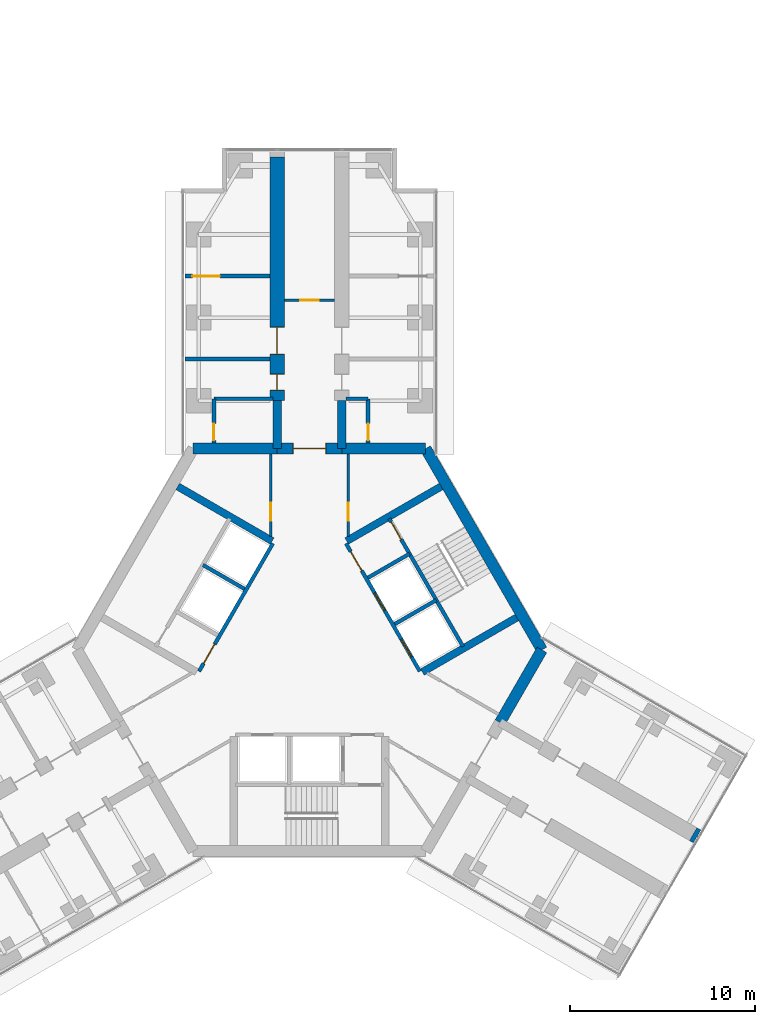
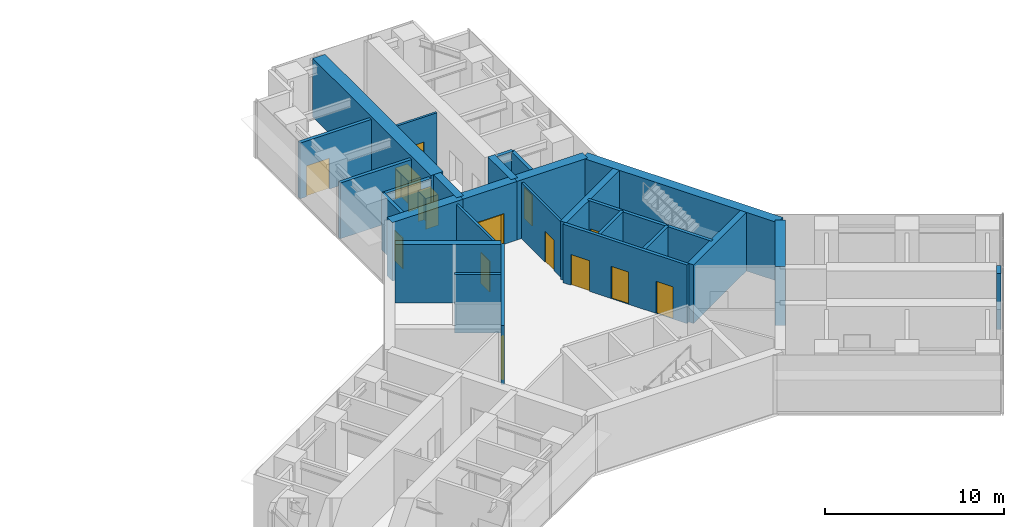
# One storey, part 19 of 21: 27 walls, 14 doors, 14 openings.
"""IFC4 building model written with IfcOpenShell, lengths in metres."""

from ifc_helpers import new_model, si_unit, direction, frame, frame_2d, origin, place, context, subcontext, project, spatial, rectangle, extrude, material, layer, layer_set, type_object, element, fill, save


model = new_model("IFC4")

# Units and contexts
model_context = context("Model", 3, precision=1e-05, world=origin(), true_north=direction((0.0, 1.0)))
body_context = subcontext(model_context, "Body", "Model", "MODEL_VIEW")
ifc_project = project(units=[si_unit("LENGTHUNIT", "METRE"), si_unit("AREAUNIT", "SQUARE_METRE"), si_unit("VOLUMEUNIT", "CUBIC_METRE"), si_unit("PLANEANGLEUNIT", "RADIAN"), si_unit("MASSUNIT", "GRAM", prefix="KILO")], contexts=[model_context])

# Site, building, storey
site_placement = place(None, origin())
site = spatial("IfcSite", under=ifc_project, at=site_placement, CompositionType="ELEMENT")
building_placement = place(site_placement, origin())
building = spatial("IfcBuilding", under=site, at=building_placement, Name="Upepo Twin Towers", CompositionType="ELEMENT")
storey_placement = place(building_placement, frame((0.0, 0.0, 117.5)))
storey = spatial("IfcBuildingStorey", under=building, at=storey_placement, Name="L28", CompositionType="ELEMENT", Elevation=117.5)

# Wall
ifc_material_1 = material(Name="Concrete blockwork, plastered both faces", Category="masonry")
ifc_layer_1 = layer(ifc_material_1, 0.215087890625)
ifc_layer_set_1 = layer_set([ifc_layer_1], Name="Blockwork partition 215")
wall_type_1 = type_object("IfcWallType", Name="Blockwork partition 215", PredefinedType="PARTITIONING", material=ifc_layer_set_1)
wall_1_placement = place(storey_placement, frame((56.35009765625, -2.25, 0.0), z_axis=(0.0, 0.0, 1.0), x_axis=(-1.0, 0.0, 0.0)))
element("IfcWall", 1, at=wall_1_placement, inside=storey, type_object=wall_type_1, Name="T2 partition AL at 15.75", PredefinedType="PARTITIONING", context=body_context, shape_type="SweptSolid", body=[
    extrude(rectangle(XDim=4.60009765625, YDim=0.215087890625, at=frame_2d((2.300048828125, 0.0))), origin(), (0.0, 0.0, 1.0), 3.800048828125),
])

# Wall, opening, door
wall_2_placement = place(storey_placement, frame((56.35009765625, 2.25, 0.0), z_axis=(0.0, 0.0, 1.0), x_axis=(-1.0, 0.0, 0.0)))
wall_2 = element("IfcWall", 2, at=wall_2_placement, inside=storey, type_object=wall_type_1, Name="T2 partition AL at 20.25", PredefinedType="PARTITIONING", context=body_context, shape_type="SweptSolid", body=[
    extrude(rectangle(XDim=4.60009765625, YDim=0.215087890625, at=frame_2d((2.300048828125, 0.0))), origin(), (0.0, 0.0, 1.0), 3.800048828125),
])
opening_1_placement = place(wall_2_placement, frame((2.699951171875, 0.0, 0.0)))
opening_1 = element("IfcOpeningElement", 3, at=opening_1_placement, cuts=wall_2, Name="Opening D13", PredefinedType="OPENING", context=body_context, shape_type="SweptSolid", body=[
    extrude(rectangle(XDim=1.5, YDim=2.10009765625, at=frame_2d((0.75, 1.050048828125))), frame((0.0, 0.117431640625, 0.0), z_axis=(0.0, -1.0, 0.0), x_axis=(1.0, 0.0, 0.0)), (0.0, 0.0, 1.0), 0.235107421875),
])
ifc_material_2 = material(Name="Timber doorset", Category="wood")
door_type_1 = type_object("IfcDoorType", Name="Double door 1500 FD30", OperationType="DOUBLE_DOOR_SINGLE_SWING", PredefinedType="DOOR", material=ifc_material_2)
door_1_placement = place(opening_1_placement, origin())
door_1 = element("IfcDoor", 4, at=door_1_placement, inside=storey, type_object=door_type_1, Name="T2 L28 connecting door", OperationType="DOUBLE_DOOR_SINGLE_SWING", OverallHeight=2.10009765625, OverallWidth=1.5, PredefinedType="DOOR", context=body_context, shape_type="SweptSolid", body=[
    extrude(rectangle(XDim=1.5, YDim=2.10009765625, at=frame_2d((0.75, 1.050048828125))), frame((0.0, 0.02490234375, 0.0), z_axis=(0.0, -1.0, 0.0), x_axis=(1.0, 0.0, 0.0)), (0.0, 0.0, 1.0), 0.050048828125),
])
fill(opening_1, door_1)

wall_3_placement = place(storey_placement, frame((53.324951171875, -6.7919921875, 0.0), z_axis=(0.0, 0.0, 1.0), x_axis=(0.0, 1.0, 0.0)))
wall_3 = element("IfcWall", 5, at=wall_3_placement, inside=storey, type_object=wall_type_1, Name="T2 WC bay partition AL at 11.21", PredefinedType="PARTITIONING", context=body_context, shape_type="SweptSolid", body=[
    extrude(rectangle(XDim=2.39990234375, YDim=0.215087890625, at=frame_2d((1.199951171875, 0.0))), origin(), (0.0, 0.0, 1.0), 3.800048828125),
])
opening_2_placement = place(wall_3_placement, frame((0.14990234375, 0.0, 0.0)))
opening_2 = element("IfcOpeningElement", 6, at=opening_2_placement, cuts=wall_3, Name="Opening D14", PredefinedType="OPENING", context=body_context, shape_type="SweptSolid", body=[
    extrude(rectangle(XDim=0.89990234375, YDim=2.10009765625, at=frame_2d((0.449951171875, 1.050048828125))), frame((0.0, 0.117431640625, 0.0), z_axis=(0.0, -1.0, 0.0), x_axis=(1.0, 0.0, 0.0)), (0.0, 0.0, 1.0), 0.235107421875),
])
ifc_material_3 = material(Name="Timber doorset", Category="wood")
door_type_2 = type_object("IfcDoorType", Name="Office door 900 FD30", OperationType="SINGLE_SWING_LEFT", PredefinedType="DOOR", material=ifc_material_3)
door_2_placement = place(opening_2_placement, origin())
door_2 = element("IfcDoor", 7, at=door_2_placement, inside=storey, type_object=door_type_2, Name="T2 L28 WC bay inner room door", OperationType="SINGLE_SWING_LEFT", OverallHeight=2.10009765625, OverallWidth=0.89990234375, PredefinedType="DOOR", context=body_context, shape_type="SweptSolid", body=[
    extrude(rectangle(XDim=0.89990234375, YDim=2.10009765625, at=frame_2d((0.449951171875, 1.050048828125))), frame((0.0, 0.02490234375, 0.0), z_axis=(0.0, -1.0, 0.0), x_axis=(1.0, 0.0, 0.0)), (0.0, 0.0, 1.0), 0.050048828125),
])
fill(opening_2, door_2)

# Wall
wall_4_placement = place(storey_placement, frame((56.52490234375, -4.39208984375, 0.0), z_axis=(0.0, 0.0, 1.0), x_axis=(-1.0, 0.0, 0.0)))
element("IfcWall", 8, at=wall_4_placement, inside=storey, type_object=wall_type_1, Name="T2 WC bay partition AL end at 13.61", PredefinedType="PARTITIONING", context=body_context, shape_type="SweptSolid", body=[
    extrude(rectangle(XDim=3.199951171875, YDim=0.215087890625, at=frame_2d((1.60009765625, 0.0))), origin(), (0.0, 0.0, 1.0), 3.800048828125),
])

# Wall, opening, door
wall_5_placement = place(storey_placement, frame((61.675048828125, -6.7919921875, 0.0), z_axis=(0.0, 0.0, 1.0), x_axis=(0.0, 1.0, 0.0)))
wall_5 = element("IfcWall", 9, at=wall_5_placement, inside=storey, type_object=wall_type_1, Name="T2 WC bay partition AR at 11.21", PredefinedType="PARTITIONING", context=body_context, shape_type="SweptSolid", body=[
    extrude(rectangle(XDim=2.39990234375, YDim=0.215087890625, at=frame_2d((1.199951171875, 0.0))), origin(), (0.0, 0.0, 1.0), 3.800048828125),
])
opening_3_placement = place(wall_5_placement, frame((0.14990234375, 0.0, 0.0)))
opening_3 = element("IfcOpeningElement", 10, at=opening_3_placement, cuts=wall_5, Name="Opening D14", PredefinedType="OPENING", context=body_context, shape_type="SweptSolid", body=[
    extrude(rectangle(XDim=0.89990234375, YDim=2.10009765625, at=frame_2d((0.449951171875, 1.050048828125))), frame((0.0, 0.117431640625, 0.0), z_axis=(0.0, -1.0, 0.0), x_axis=(1.0, 0.0, 0.0)), (0.0, 0.0, 1.0), 0.235107421875),
])
door_3_placement = place(opening_3_placement, origin())
door_3 = element("IfcDoor", 11, at=door_3_placement, inside=storey, type_object=door_type_2, Name="T2 L28 WC bay inner room door", OperationType="SINGLE_SWING_LEFT", OverallHeight=2.10009765625, OverallWidth=0.89990234375, PredefinedType="DOOR", context=body_context, shape_type="SweptSolid", body=[
    extrude(rectangle(XDim=0.89990234375, YDim=2.10009765625, at=frame_2d((0.449951171875, 1.050048828125))), frame((0.0, 0.02490234375, 0.0), z_axis=(0.0, -1.0, 0.0), x_axis=(1.0, 0.0, 0.0)), (0.0, 0.0, 1.0), 0.050048828125),
])
fill(opening_3, door_3)

# Walls
wall_6_placement = place(storey_placement, frame((60.47509765625, -4.39208984375, 0.0), z_axis=(0.0, 0.0, 1.0), x_axis=(1.0, 0.0, 0.0)))
element("IfcWall", 12, at=wall_6_placement, inside=storey, type_object=wall_type_1, Name="T2 WC bay partition AR end at 13.61", PredefinedType="PARTITIONING", context=body_context, shape_type="SweptSolid", body=[
    extrude(rectangle(XDim=1.199951171875, YDim=0.215087890625, at=frame_2d((0.60009765625, 0.0))), origin(), (0.0, 0.0, 1.0), 3.800048828125),
])
ifc_material_4 = material(Name="Dense concrete blockwork", Category="masonry")
ifc_layer_2 = layer(ifc_material_4, 0.800048828125)
ifc_layer_set_2 = layer_set([ifc_layer_2], Name="Buttress closer 800, blockwork with fire-stopping to the curtain wall")
wall_type_2 = type_object("IfcWallType", Name="Buttress closer 800, blockwork with fire-stopping to the curtain wall", PredefinedType="PARTITIONING", material=ifc_layer_set_2)
wall_7_placement = place(storey_placement, frame((79.293701171875, -27.984375, 0.0), z_axis=(0.0, 0.0, 1.0), x_axis=(0.865827443207, -0.500342721131, 0.0)))
element("IfcWall", 13, at=wall_7_placement, inside=storey, type_object=wall_type_2, Name="T2 L28 wing C buttress closer L", PredefinedType="PARTITIONING", context=body_context, shape_type="SweptSolid", body=[
    extrude(rectangle(XDim=0.249755859375, YDim=0.800048828125, at=frame_2d((0.125, 0.0))), origin(), (0.0, 0.0, 1.0), 3.800048828125),
])
ifc_material_5 = material(Name="Concrete C60/75", Category="concrete")
ifc_layer_3 = layer(ifc_material_5, 0.449951171875)
ifc_layer_set_3 = layer_set([ifc_layer_3], Name="Concrete C60/75")
wall_type_3 = type_object("IfcWallType", Name="Buttress wall 450 RC", PredefinedType="SHEAR", material=ifc_layer_set_3)
for number, where, z_axis, x_axis, name in (
    (14, (56.75, -7.091552734375, 0.0), (0.0, 0.0, 1.0), (0.0, 1.0, 0.0), "T2 wing A buttress wall L"),
    (15, (60.25, -7.091552734375, 0.0), (0.0, 0.0, 1.0), (0.0, 1.0, 0.0), "T2 wing A buttress wall R"),
):
    element("IfcWall", number, at=place(storey_placement, frame(where, z_axis=z_axis, x_axis=x_axis)), inside=storey, type_object=wall_type_3, Name=name, PredefinedType="SHEAR", context=body_context, shape_type="SweptSolid", body=[
        extrude(rectangle(XDim=2.591552734375, YDim=0.449951171875, at=frame_2d((1.2958984375, 0.0))), origin(), (0.0, 0.0, 1.0), 4.0),
    ])

# Wall, openings, doors
ifc_material_6 = material(Name="Concrete C60/75", Category="concrete")
ifc_layer_4 = layer(ifc_material_6, 0.800048828125)
ifc_layer_set_4 = layer_set([ifc_layer_4], Name="Concrete C60/75")
wall_type_4 = type_object("IfcWallType", Name="Buttress wall 800 RC", PredefinedType="SHEAR", material=ifc_layer_set_4)
wall_8_placement = place(storey_placement, frame((56.75, -4.5, 0.0), z_axis=(0.0, 0.0, 1.0), x_axis=(0.0, 1.0, 0.0)))
wall_8 = element("IfcWall", 16, at=wall_8_placement, inside=storey, type_object=wall_type_4, Name="T2 wing A buttress wall L part 2", PredefinedType="SHEAR", context=body_context, shape_type="SweptSolid", body=[
    extrude(rectangle(XDim=13.199951171875, YDim=0.800048828125, at=frame_2d((6.60009765625, 0.0))), origin(), (0.0, 0.0, 1.0), 4.0),
])
opening_4_placement = place(wall_8_placement, frame((0.550048828125, 0.0, 0.0)))
opening_4 = element("IfcOpeningElement", 17, at=opening_4_placement, cuts=wall_8, Name="Opening D11", PredefinedType="OPENING", context=body_context, shape_type="SweptSolid", body=[
    extrude(rectangle(XDim=0.89990234375, YDim=2.10009765625, at=frame_2d((0.449951171875, 1.050048828125))), frame((0.0, 0.409912109375, 0.0), z_axis=(0.0, -1.0, 0.0), x_axis=(1.0, 0.0, 0.0)), (0.0, 0.0, 1.0), 0.820068359375),
])
opening_5_placement = place(wall_8_placement, frame((2.5, 0.0, 0.0)))
opening_5 = element("IfcOpeningElement", 18, at=opening_5_placement, cuts=wall_8, Name="Opening D13", PredefinedType="OPENING", context=body_context, shape_type="SweptSolid", body=[
    extrude(rectangle(XDim=1.5, YDim=2.10009765625, at=frame_2d((0.75, 1.050048828125))), frame((0.0, 0.409912109375, 0.0), z_axis=(0.0, -1.0, 0.0), x_axis=(1.0, 0.0, 0.0)), (0.0, 0.0, 1.0), 0.820068359375),
])
door_4_placement = place(opening_5_placement, origin())
door_4 = element("IfcDoor", 19, at=door_4_placement, inside=storey, type_object=door_type_1, Name="T2 L28 tutorial room door", OperationType="DOUBLE_DOOR_SINGLE_SWING", OverallHeight=2.10009765625, OverallWidth=1.5, PredefinedType="DOOR", context=body_context, shape_type="SweptSolid", body=[
    extrude(rectangle(XDim=1.42, YDim=2.06009765625, at=frame_2d((0.75, 1.030029296875))), frame((0.0, 0.02490234375, 0.0), z_axis=(0.0, -1.0, 0.0), x_axis=(1.0, 0.0, 0.0)), (0.0, 0.0, 1.0), 0.050048828125),
    extrude(rectangle(XDim=0.04, YDim=2.10009765625, at=frame_2d((0.02001953125, 1.050048828125))), frame((0.0, 0.39990234375, 0.0), z_axis=(0.0, -1.0, 0.0), x_axis=(1.0, 0.0, 0.0)), (0.0, 0.0, 1.0), 0.799560546875),
    extrude(rectangle(XDim=0.04, YDim=2.10009765625, at=frame_2d((1.47998046875, 1.050048828125))), frame((0.0, 0.39990234375, 0.0), z_axis=(0.0, -1.0, 0.0), x_axis=(1.0, 0.0, 0.0)), (0.0, 0.0, 1.0), 0.799560546875),
    extrude(rectangle(XDim=1.42, YDim=0.04, at=frame_2d((0.75, 2.080078125))), frame((0.0, 0.39990234375, 0.0), z_axis=(0.0, -1.0, 0.0), x_axis=(1.0, 0.0, 0.0)), (0.0, 0.0, 1.0), 0.799560546875),
])
fill(opening_5, door_4)
ifc_material_7 = material(Name="Timber doorset", Category="wood")
door_type_3 = type_object("IfcDoorType", Name="Toilet door 900", OperationType="SINGLE_SWING_LEFT", PredefinedType="DOOR", material=ifc_material_7)
door_5_placement = place(opening_4_placement, origin())
door_5 = element("IfcDoor", 20, at=door_5_placement, inside=storey, type_object=door_type_3, Name="T2 L28 accessible wc door", OperationType="SINGLE_SWING_LEFT", OverallHeight=2.10009765625, OverallWidth=0.89990234375, PredefinedType="DOOR", context=body_context, shape_type="SweptSolid", body=[
    extrude(rectangle(XDim=0.81990234375, YDim=2.06009765625, at=frame_2d((0.449951171875, 1.030029296875))), frame((0.0, 0.02490234375, 0.0), z_axis=(0.0, -1.0, 0.0), x_axis=(1.0, 0.0, 0.0)), (0.0, 0.0, 1.0), 0.050048828125),
    extrude(rectangle(XDim=0.04, YDim=2.10009765625, at=frame_2d((0.02001953125, 1.050048828125))), frame((0.0, 0.39990234375, 0.0), z_axis=(0.0, -1.0, 0.0), x_axis=(1.0, 0.0, 0.0)), (0.0, 0.0, 1.0), 0.799560546875),
    extrude(rectangle(XDim=0.04, YDim=2.10009765625, at=frame_2d((0.8798828125, 1.050048828125))), frame((0.0, 0.39990234375, 0.0), z_axis=(0.0, -1.0, 0.0), x_axis=(1.0, 0.0, 0.0)), (0.0, 0.0, 1.0), 0.799560546875),
    extrude(rectangle(XDim=0.81990234375, YDim=0.04, at=frame_2d((0.449951171875, 2.080078125))), frame((0.0, 0.39990234375, 0.0), z_axis=(0.0, -1.0, 0.0), x_axis=(1.0, 0.0, 0.0)), (0.0, 0.0, 1.0), 0.799560546875),
])
fill(opening_4, door_5)

# Wall
ifc_material_8 = material(Name="Concrete C60/75", Category="concrete")
ifc_layer_5 = layer(ifc_material_8, 0.60009765625)
ifc_layer_set_5 = layer_set([ifc_layer_5], Name="Concrete C60/75")
wall_type_5 = type_object("IfcWallType", Name="Core wall 600 RC", PredefinedType="SHEAR", material=ifc_layer_set_5)
wall_9_placement = place(storey_placement, frame((64.7978515625, -7.091552734375, 0.0), z_axis=(0.0, 0.0, 1.0), x_axis=(-1.0, 0.0, 0.0)))
element("IfcWall", 21, at=wall_9_placement, inside=storey, type_object=wall_type_5, Name="T2 core wall 000 R", PredefinedType="SHEAR", context=body_context, shape_type="SweptSolid", body=[
    extrude(rectangle(XDim=4.5478515625, YDim=0.60009765625, at=frame_2d((2.27392578125, 0.0))), origin(), (0.0, 0.0, 1.0), 4.0),
])

# Wall, opening, door
wall_10_placement = place(storey_placement, frame((60.25, -7.091552734375, 0.0), z_axis=(0.0, 0.0, 1.0), x_axis=(-1.0, 0.0, 0.0)))
wall_10 = element("IfcWall", 22, at=wall_10_placement, inside=storey, type_object=wall_type_5, Name="T2 core wall 000", PredefinedType="SHEAR", context=body_context, shape_type="SweptSolid", body=[
    extrude(rectangle(XDim=3.5, YDim=0.60009765625, at=frame_2d((1.75, 0.0))), origin(), (0.0, 0.0, 1.0), 4.0),
])
opening_6_placement = place(wall_10_placement, frame((0.85009765625, 0.0, 0.0)))
opening_6 = element("IfcOpeningElement", 23, at=opening_6_placement, cuts=wall_10, Name="Opening D2", PredefinedType="OPENING", context=body_context, shape_type="SweptSolid", body=[
    extrude(rectangle(XDim=1.800048828125, YDim=2.10009765625, at=frame_2d((0.89990234375, 1.050048828125))), frame((0.0, 0.31005859375, 0.0), z_axis=(0.0, -1.0, 0.0), x_axis=(1.0, 0.0, 0.0)), (0.0, 0.0, 1.0), 0.6201171875),
])
ifc_material_9 = material(Name="Timber doorset", Category="wood")
door_type_4 = type_object("IfcDoorType", Name="Corridor double door 1800 FD60", OperationType="DOUBLE_DOOR_DOUBLE_SWING", PredefinedType="DOOR", material=ifc_material_9)
door_6_placement = place(opening_6_placement, origin())
door_6 = element("IfcDoor", 24, at=door_6_placement, inside=storey, type_object=door_type_4, Name="T2 L28 wing A corridor door", OperationType="DOUBLE_DOOR_DOUBLE_SWING", OverallHeight=2.10009765625, OverallWidth=1.800048828125, PredefinedType="DOOR", context=body_context, shape_type="SweptSolid", body=[
    extrude(rectangle(XDim=1.720048828125, YDim=2.06009765625, at=frame_2d((0.89990234375, 1.030029296875))), frame((0.0, 0.02490234375, 0.0), z_axis=(0.0, -1.0, 0.0), x_axis=(1.0, 0.0, 0.0)), (0.0, 0.0, 1.0), 0.050048828125),
    extrude(rectangle(XDim=0.04, YDim=2.10009765625, at=frame_2d((0.02001953125, 1.050048828125))), frame((0.0, 0.2998046875, 0.0), z_axis=(0.0, -1.0, 0.0), x_axis=(1.0, 0.0, 0.0)), (0.0, 0.0, 1.0), 0.599609375),
    extrude(rectangle(XDim=0.04, YDim=2.10009765625, at=frame_2d((1.780029296875, 1.050048828125))), frame((0.0, 0.2998046875, 0.0), z_axis=(0.0, -1.0, 0.0), x_axis=(1.0, 0.0, 0.0)), (0.0, 0.0, 1.0), 0.599609375),
    extrude(rectangle(XDim=1.720048828125, YDim=0.04, at=frame_2d((0.89990234375, 2.080078125))), frame((0.0, 0.2998046875, 0.0), z_axis=(0.0, -1.0, 0.0), x_axis=(1.0, 0.0, 0.0)), (0.0, 0.0, 1.0), 0.599609375),
])
fill(opening_6, door_6)

# Walls
wall_11_placement = place(storey_placement, frame((56.75, -7.091552734375, 0.0), z_axis=(0.0, 0.0, 1.0), x_axis=(-1.0, 0.0, 0.0)))
element("IfcWall", 25, at=wall_11_placement, inside=storey, type_object=wall_type_5, Name="T2 core wall 000 L", PredefinedType="SHEAR", context=body_context, shape_type="SweptSolid", body=[
    extrude(rectangle(XDim=4.5478515625, YDim=0.60009765625, at=frame_2d((2.27392578125, 0.0))), origin(), (0.0, 0.0, 1.0), 4.0),
])
wall_12_placement = place(storey_placement, frame((68.82177734375, -21.938720703125, 0.0), z_axis=(0.0, 0.0, 1.0), x_axis=(0.500024481964, 0.866011268655, 0.0)))
element("IfcWall", 26, at=wall_12_placement, inside=storey, type_object=wall_type_5, Name="T2 core wall 240 L", PredefinedType="SHEAR", context=body_context, shape_type="SweptSolid", body=[
    extrude(rectangle(XDim=4.548095703125, YDim=0.60009765625, at=frame_2d((2.27392578125, 0.0))), origin(), (0.0, 0.0, 1.0), 4.0),
])
wall_13_placement = place(storey_placement, frame((71.095947265625, -18.0, 0.0), z_axis=(0.0, 0.0, 1.0), x_axis=(-0.500005998175, 0.866021940709, 0.0)))
element("IfcWall", 27, at=wall_13_placement, inside=storey, type_object=wall_type_5, Name="T2 core wall 300", PredefinedType="SHEAR", context=body_context, shape_type="SweptSolid", body=[
    extrude(rectangle(XDim=12.595947265625, YDim=0.60009765625, at=frame_2d((6.2978515625, 0.0))), origin(), (0.0, 0.0, 1.0), 4.0),
])

# Wall, opening, door
ifc_material_10 = material(Name="Concrete C40/50", Category="concrete")
ifc_layer_6 = layer(ifc_material_10, 0.199951171875)
ifc_layer_set_6 = layer_set([ifc_layer_6], Name="Concrete C40/50")
wall_type_6 = type_object("IfcWallType", Name="Shaft wall 200 RC", PredefinedType="SHEAR", material=ifc_layer_set_6)
wall_14_placement = place(storey_placement, frame((56.516357421875, -12.23583984375, 0.0), z_axis=(0.0, 0.0, 1.0), x_axis=(-0.49999894854, -0.866026010844, 0.0)))
wall_14 = element("IfcWall", 28, at=wall_14_placement, inside=storey, type_object=wall_type_6, Name="T2 core W60 front wall", PredefinedType="SHEAR", context=body_context, shape_type="SweptSolid", body=[
    extrude(rectangle(XDim=8.0, YDim=0.199951171875, at=frame_2d((4.0, 0.0))), origin(), (0.0, 0.0, 1.0), 4.0),
])
opening_7_placement = place(wall_14_placement, frame((6.300048828125, 0.0, 0.0)))
opening_7 = element("IfcOpeningElement", 29, at=opening_7_placement, cuts=wall_14, Name="Opening D4", PredefinedType="OPENING", context=body_context, shape_type="SweptSolid", body=[
    extrude(rectangle(XDim=1.199951171875, YDim=2.10009765625, at=frame_2d((0.60009765625, 1.050048828125))), frame((0.0, 0.10986328125, 0.0), z_axis=(0.0, -1.0, 0.0), x_axis=(1.0, 0.0, 0.0)), (0.0, 0.0, 1.0), 0.219970703125),
])
ifc_material_11 = material(Name="Timber doorset", Category="wood")
door_type_5 = type_object("IfcDoorType", Name="Lobby door 1200 FD60", OperationType="SINGLE_SWING_LEFT", PredefinedType="DOOR", material=ifc_material_11)
door_7_placement = place(opening_7_placement, origin())
door_7 = element("IfcDoor", 30, at=door_7_placement, inside=storey, type_object=door_type_5, Name="T2 L28 W60 lobby door", OperationType="SINGLE_SWING_RIGHT", OverallHeight=2.10009765625, OverallWidth=1.199951171875, PredefinedType="DOOR", context=body_context, shape_type="SweptSolid", body=[
    extrude(rectangle(XDim=1.199951171875, YDim=2.10009765625, at=frame_2d((0.60009765625, 1.050048828125))), frame((0.0, 0.02490234375, 0.0), z_axis=(0.0, -1.0, 0.0), x_axis=(1.0, 0.0, 0.0)), (0.0, 0.0, 1.0), 0.050048828125),
])
fill(opening_7, door_7)

# Wall
wall_15_placement = place(storey_placement, frame((54.979736328125, -14.697265625, 0.0), z_axis=(0.0, 0.0, 1.0), x_axis=(-0.866062058628, 0.499936506574, 0.0)))
element("IfcWall", 31, at=wall_15_placement, inside=storey, type_object=wall_type_6, Name="T2 core W60 shaft divider", PredefinedType="SHEAR", context=body_context, shape_type="SweptSolid", body=[
    extrude(rectangle(XDim=2.599853515625, YDim=0.199951171875, at=frame_2d((1.2998046875, 0.0))), origin(), (0.0, 0.0, 1.0), 4.0),
])

# Wall, openings, doors
wall_16_placement = place(storey_placement, frame((64.483642578125, -19.1640625, 0.0), z_axis=(0.0, 0.0, 1.0), x_axis=(-0.49999894854, 0.866026010844, 0.0)))
wall_16 = element("IfcWall", 32, at=wall_16_placement, inside=storey, type_object=wall_type_6, Name="T2 core W300 front wall", PredefinedType="SHEAR", context=body_context, shape_type="SweptSolid", body=[
    extrude(rectangle(XDim=8.0, YDim=0.199951171875, at=frame_2d((4.0, 0.0))), origin(), (0.0, 0.0, 1.0), 4.0),
])
opening_8_placement = place(wall_16_placement, frame((6.300048828125, 0.0, 0.0)))
opening_8 = element("IfcOpeningElement", 33, at=opening_8_placement, cuts=wall_16, Name="Opening D4", PredefinedType="OPENING", context=body_context, shape_type="SweptSolid", body=[
    extrude(rectangle(XDim=1.199951171875, YDim=2.10009765625, at=frame_2d((0.60009765625, 1.050048828125))), frame((0.0, 0.10986328125, 0.0), z_axis=(0.0, -1.0, 0.0), x_axis=(1.0, 0.0, 0.0)), (0.0, 0.0, 1.0), 0.219970703125),
])
opening_9_placement = place(wall_16_placement, frame((0.89990234375, 0.0, 0.0)))
opening_9 = element("IfcOpeningElement", 34, at=opening_9_placement, cuts=wall_16, Name="Opening LD1", PredefinedType="OPENING", context=body_context, shape_type="SweptSolid", body=[
    extrude(rectangle(XDim=1.10009765625, YDim=2.199951171875, at=frame_2d((0.550048828125, 1.10009765625))), frame((0.0, 0.10986328125, 0.0), z_axis=(0.0, -1.0, 0.0), x_axis=(1.0, 0.0, 0.0)), (0.0, 0.0, 1.0), 0.219970703125),
])
opening_10_placement = place(wall_16_placement, frame((3.800048828125, 0.0, 0.0)))
opening_10 = element("IfcOpeningElement", 35, at=opening_10_placement, cuts=wall_16, Name="Opening LD1", PredefinedType="OPENING", context=body_context, shape_type="SweptSolid", body=[
    extrude(rectangle(XDim=1.10009765625, YDim=2.199951171875, at=frame_2d((0.550048828125, 1.10009765625))), frame((0.0, 0.10986328125, 0.0), z_axis=(0.0, -1.0, 0.0), x_axis=(1.0, 0.0, 0.0)), (0.0, 0.0, 1.0), 0.219970703125),
])
ifc_material_12 = material(Name="Steel doorset", Category="steel")
door_type_6 = type_object("IfcDoorType", Name="Lift landing door 1100", OperationType="DOUBLE_DOOR_SLIDING", PredefinedType="DOOR", material=ifc_material_12)
door_8_placement = place(opening_9_placement, origin())
door_8 = element("IfcDoor", 36, at=door_8_placement, inside=storey, type_object=door_type_6, Name="T2 L28 lift ML1 landing door", OperationType="DOUBLE_DOOR_SLIDING", OverallHeight=2.199951171875, OverallWidth=1.10009765625, PredefinedType="DOOR", context=body_context, shape_type="SweptSolid", body=[
    extrude(rectangle(XDim=1.10009765625, YDim=2.199951171875, at=frame_2d((0.550048828125, 1.10009765625))), frame((0.0, 0.02490234375, 0.0), z_axis=(0.0, -1.0, 0.0), x_axis=(1.0, 0.0, 0.0)), (0.0, 0.0, 1.0), 0.050048828125),
])
fill(opening_9, door_8)
door_9_placement = place(opening_10_placement, origin())
door_9 = element("IfcDoor", 37, at=door_9_placement, inside=storey, type_object=door_type_6, Name="T2 L28 lift ML2 landing door", OperationType="DOUBLE_DOOR_SLIDING", OverallHeight=2.199951171875, OverallWidth=1.10009765625, PredefinedType="DOOR", context=body_context, shape_type="SweptSolid", body=[
    extrude(rectangle(XDim=1.10009765625, YDim=2.199951171875, at=frame_2d((0.550048828125, 1.10009765625))), frame((0.0, 0.02490234375, 0.0), z_axis=(0.0, -1.0, 0.0), x_axis=(1.0, 0.0, 0.0)), (0.0, 0.0, 1.0), 0.050048828125),
])
fill(opening_10, door_9)
door_10_placement = place(opening_8_placement, origin())
door_10 = element("IfcDoor", 38, at=door_10_placement, inside=storey, type_object=door_type_5, Name="T2 L28 W300 lobby door", OperationType="SINGLE_SWING_RIGHT", OverallHeight=2.10009765625, OverallWidth=1.199951171875, PredefinedType="DOOR", context=body_context, shape_type="SweptSolid", body=[
    extrude(rectangle(XDim=1.199951171875, YDim=2.10009765625, at=frame_2d((0.60009765625, 1.050048828125))), frame((0.0, 0.02490234375, 0.0), z_axis=(0.0, -1.0, 0.0), x_axis=(1.0, 0.0, 0.0)), (0.0, 0.0, 1.0), 0.050048828125),
])
fill(opening_8, door_10)

# Walls
wall_17_placement = place(storey_placement, frame((63.120361328125, -16.6025390625, 0.0), z_axis=(0.0, 0.0, 1.0), x_axis=(0.866062058628, 0.499936506574, 0.0)))
element("IfcWall", 39, at=wall_17_placement, inside=storey, type_object=wall_type_6, Name="T2 core W300 shaft divider", PredefinedType="SHEAR", context=body_context, shape_type="SweptSolid", body=[
    extrude(rectangle(XDim=2.599853515625, YDim=0.199951171875, at=frame_2d((1.2998046875, 0.0))), origin(), (0.0, 0.0, 1.0), 4.0),
])
wall_18_placement = place(storey_placement, frame((61.67041015625, -14.091064453125, 0.0), z_axis=(0.0, 0.0, 1.0), x_axis=(0.86603858612, 0.49997716683, 0.0)))
element("IfcWall", 40, at=wall_18_placement, inside=storey, type_object=wall_type_6, Name="T2 core W300 lobby wall", PredefinedType="SHEAR", context=body_context, shape_type="SweptSolid", body=[
    extrude(rectangle(XDim=2.599609375, YDim=0.199951171875, at=frame_2d((1.2998046875, 0.0))), origin(), (0.0, 0.0, 1.0), 4.0),
])

# Wall, opening, door
wall_19_placement = place(storey_placement, frame((66.822021484375, -17.814208984375, 0.0), z_axis=(0.0, 0.0, 1.0), x_axis=(-0.49999894854, 0.866026010844, 0.0)))
wall_19 = element("IfcWall", 41, at=wall_19_placement, inside=storey, type_object=wall_type_6, Name="T2 core W300 stair wall", PredefinedType="SHEAR", context=body_context, shape_type="SweptSolid", body=[
    extrude(rectangle(XDim=8.0, YDim=0.199951171875, at=frame_2d((4.0, 0.0))), origin(), (0.0, 0.0, 1.0), 4.0),
])
opening_11_placement = place(wall_19_placement, frame((6.699951171875, 0.0, 0.0)))
opening_11 = element("IfcOpeningElement", 42, at=opening_11_placement, cuts=wall_19, Name="Opening D3", PredefinedType="OPENING", context=body_context, shape_type="SweptSolid", body=[
    extrude(rectangle(XDim=1.10009765625, YDim=2.10009765625, at=frame_2d((0.550048828125, 1.050048828125))), frame((0.0, 0.10986328125, 0.0), z_axis=(0.0, -1.0, 0.0), x_axis=(1.0, 0.0, 0.0)), (0.0, 0.0, 1.0), 0.219970703125),
])
ifc_material_13 = material(Name="Timber doorset", Category="wood")
door_type_7 = type_object("IfcDoorType", Name="Stair door 1100 FD60", OperationType="SINGLE_SWING_LEFT", PredefinedType="DOOR", material=ifc_material_13)
door_11_placement = place(opening_11_placement, origin())
door_11 = element("IfcDoor", 43, at=door_11_placement, inside=storey, type_object=door_type_7, Name="T2 L28 stair door", OperationType="SINGLE_SWING_RIGHT", OverallHeight=2.10009765625, OverallWidth=1.10009765625, PredefinedType="DOOR", context=body_context, shape_type="SweptSolid", body=[
    extrude(rectangle(XDim=1.10009765625, YDim=2.10009765625, at=frame_2d((0.550048828125, 1.050048828125))), frame((0.0, 0.02490234375, 0.0), z_axis=(0.0, -1.0, 0.0), x_axis=(1.0, 0.0, 0.0)), (0.0, 0.0, 1.0), 0.050048828125),
])
fill(opening_11, door_11)

# Walls
ifc_material_14 = material(Name="Concrete C40/50", Category="concrete")
ifc_layer_7 = layer(ifc_material_14, 0.39990234375)
ifc_layer_set_7 = layer_set([ifc_layer_7], Name="Concrete C40/50")
wall_type_7 = type_object("IfcWallType", Name="Shaft wall 400 RC", PredefinedType="SHEAR", material=ifc_layer_set_7)
for number, where, z_axis, x_axis, name in (
    (44, (56.479736328125, -12.099365234375, 0.0), (0.0, 0.0, 1.0), (-0.866009424208, 0.500027676417, 0.0), "T2 core W60 side wall S"),
    (45, (60.520263671875, -12.099365234375, 0.0), (0.0, 0.0, 1.0), (0.866009424208, 0.500027676417, 0.0), "T2 core W300 side wall N"),
):
    element("IfcWall", number, at=place(storey_placement, frame(where, z_axis=z_axis, x_axis=x_axis)), inside=storey, type_object=wall_type_7, Name=name, PredefinedType="SHEAR", context=body_context, shape_type="SweptSolid", body=[
        extrude(rectangle(XDim=5.908447265625, YDim=0.39990234375, at=frame_2d((2.9541015625, 0.0))), origin(), (0.0, 0.0, 1.0), 4.0),
    ])
wall_20_placement = place(storey_placement, frame((64.620361328125, -19.20068359375, 0.0), z_axis=(0.0, 0.0, 1.0), x_axis=(0.866027317282, 0.49999668571, 0.0)))
element("IfcWall", 46, at=wall_20_placement, inside=storey, type_object=wall_type_7, Name="T2 core W300 side wall S", PredefinedType="SHEAR", context=body_context, shape_type="SweptSolid", body=[
    extrude(rectangle(XDim=5.908203125, YDim=0.39990234375, at=frame_2d((2.9541015625, 0.0))), origin(), (0.0, 0.0, 1.0), 4.0),
])

# Wall, opening, door
ifc_material_15 = material(Name="Gypsum board on steel studs", Category="steel")
ifc_layer_8 = layer(ifc_material_15, 0.14990234375)
ifc_layer_set_8 = layer_set([ifc_layer_8], Name="Teaching partition 150 acoustic")
wall_type_8 = type_object("IfcWallType", Name="Teaching partition 150 acoustic", PredefinedType="PARTITIONING", material=ifc_layer_set_8)
wall_21_placement = place(storey_placement, frame((56.39990234375, -11.857421875, 0.0), z_axis=(0.0, 0.0, 1.0), x_axis=(0.0, 1.0, 0.0)))
wall_21 = element("IfcWall", 47, at=wall_21_placement, inside=storey, type_object=wall_type_8, Name="T2 core room partition 2", PredefinedType="PARTITIONING", context=body_context, shape_type="SweptSolid", body=[
    extrude(rectangle(XDim=4.475830078125, YDim=0.14990234375, at=frame_2d((2.23779296875, 0.0))), origin(), (0.0, 0.0, 1.0), 3.800048828125),
])
opening_12_placement = place(wall_21_placement, frame((0.8427734375, 0.0, 0.0)))
opening_12 = element("IfcOpeningElement", 48, at=opening_12_placement, cuts=wall_21, Name="Opening D1", PredefinedType="OPENING", context=body_context, shape_type="SweptSolid", body=[
    extrude(rectangle(XDim=1.0, YDim=2.10009765625, at=frame_2d((0.5, 1.050048828125))), frame((0.0, 0.0849609375, 0.0), z_axis=(0.0, -1.0, 0.0), x_axis=(1.0, 0.0, 0.0)), (0.0, 0.0, 1.0), 0.169921875),
])
ifc_material_16 = material(Name="Timber doorset", Category="wood")
door_type_8 = type_object("IfcDoorType", Name="Room door 1000 FD30", OperationType="SINGLE_SWING_LEFT", PredefinedType="DOOR", material=ifc_material_16)
door_12_placement = place(opening_12_placement, origin())
door_12 = element("IfcDoor", 49, at=door_12_placement, inside=storey, type_object=door_type_8, Name="T2 L28 core room door K7", OperationType="SINGLE_SWING_LEFT", OverallHeight=2.10009765625, OverallWidth=1.0, PredefinedType="DOOR", context=body_context, shape_type="SweptSolid", body=[
    extrude(rectangle(XDim=1.0, YDim=2.10009765625, at=frame_2d((0.5, 1.050048828125))), frame((0.0, 0.02490234375, 0.0), z_axis=(0.0, -1.0, 0.0), x_axis=(1.0, 0.0, 0.0)), (0.0, 0.0, 1.0), 0.050048828125),
])
fill(opening_12, door_12)

wall_22_placement = place(storey_placement, frame((60.60009765625, -7.381591796875, 0.0), z_axis=(0.0, 0.0, 1.0), x_axis=(0.0, -1.0, 0.0)))
wall_22 = element("IfcWall", 50, at=wall_22_placement, inside=storey, type_object=wall_type_8, Name="T2 core room partition 3", PredefinedType="PARTITIONING", context=body_context, shape_type="SweptSolid", body=[
    extrude(rectangle(XDim=4.475830078125, YDim=0.14990234375, at=frame_2d((2.23779296875, 0.0))), origin(), (0.0, 0.0, 1.0), 3.800048828125),
])
opening_13_placement = place(wall_22_placement, frame((2.6328125, 0.0, 0.0)))
opening_13 = element("IfcOpeningElement", 51, at=opening_13_placement, cuts=wall_22, Name="Opening D1", PredefinedType="OPENING", context=body_context, shape_type="SweptSolid", body=[
    extrude(rectangle(XDim=1.0, YDim=2.10009765625, at=frame_2d((0.5, 1.050048828125))), frame((0.0, 0.0849609375, 0.0), z_axis=(0.0, -1.0, 0.0), x_axis=(1.0, 0.0, 0.0)), (0.0, 0.0, 1.0), 0.169921875),
])
door_13_placement = place(opening_13_placement, origin())
door_13 = element("IfcDoor", 52, at=door_13_placement, inside=storey, type_object=door_type_8, Name="T2 L28 core room door K6", OperationType="SINGLE_SWING_RIGHT", OverallHeight=2.10009765625, OverallWidth=1.0, PredefinedType="DOOR", context=body_context, shape_type="SweptSolid", body=[
    extrude(rectangle(XDim=1.0, YDim=2.10009765625, at=frame_2d((0.5, 1.050048828125))), frame((0.0, 0.02490234375, 0.0), z_axis=(0.0, -1.0, 0.0), x_axis=(1.0, 0.0, 0.0)), (0.0, 0.0, 1.0), 0.050048828125),
])
fill(opening_13, door_13)

wall_23_placement = place(storey_placement, frame((59.85009765625, 0.949951171875, 0.0), z_axis=(0.0, 0.0, 1.0), x_axis=(-1.0, 0.0, 0.0)))
wall_23 = element("IfcWall", 53, at=wall_23_placement, inside=storey, type_object=wall_type_8, Name="T2 corridor end partition A at 18.95", PredefinedType="PARTITIONING", context=body_context, shape_type="SweptSolid", body=[
    extrude(rectangle(XDim=2.7001953125, YDim=0.14990234375, at=frame_2d((1.35009765625, 0.0))), origin(), (0.0, 0.0, 1.0), 3.800048828125),
])
opening_14_placement = place(wall_23_placement, frame((0.85009765625, 0.0, 0.0)))
opening_14 = element("IfcOpeningElement", 54, at=opening_14_placement, cuts=wall_23, Name="Opening D1", PredefinedType="OPENING", context=body_context, shape_type="SweptSolid", body=[
    extrude(rectangle(XDim=1.0, YDim=2.10009765625, at=frame_2d((0.5, 1.050048828125))), frame((0.0, 0.0849609375, 0.0), z_axis=(0.0, -1.0, 0.0), x_axis=(1.0, 0.0, 0.0)), (0.0, 0.0, 1.0), 0.169921875),
])
door_14_placement = place(opening_14_placement, origin())
door_14 = element("IfcDoor", 55, at=door_14_placement, inside=storey, type_object=door_type_8, Name="T2 L28 breakout study room door", OperationType="SINGLE_SWING_LEFT", OverallHeight=2.10009765625, OverallWidth=1.0, PredefinedType="DOOR", context=body_context, shape_type="SweptSolid", body=[
    extrude(rectangle(XDim=1.0, YDim=2.10009765625, at=frame_2d((0.5, 1.050048828125))), frame((0.0, 0.02490234375, 0.0), z_axis=(0.0, -1.0, 0.0), x_axis=(1.0, 0.0, 0.0)), (0.0, 0.0, 1.0), 0.050048828125),
])
fill(opening_14, door_14)

save(model, "model.ifc")
